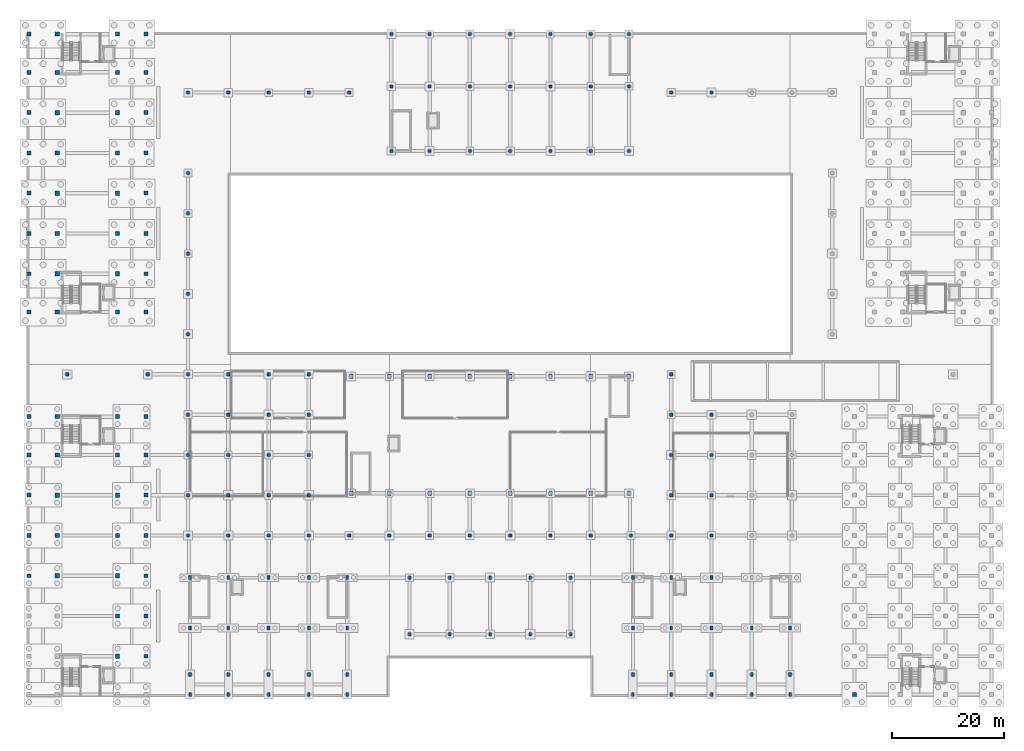
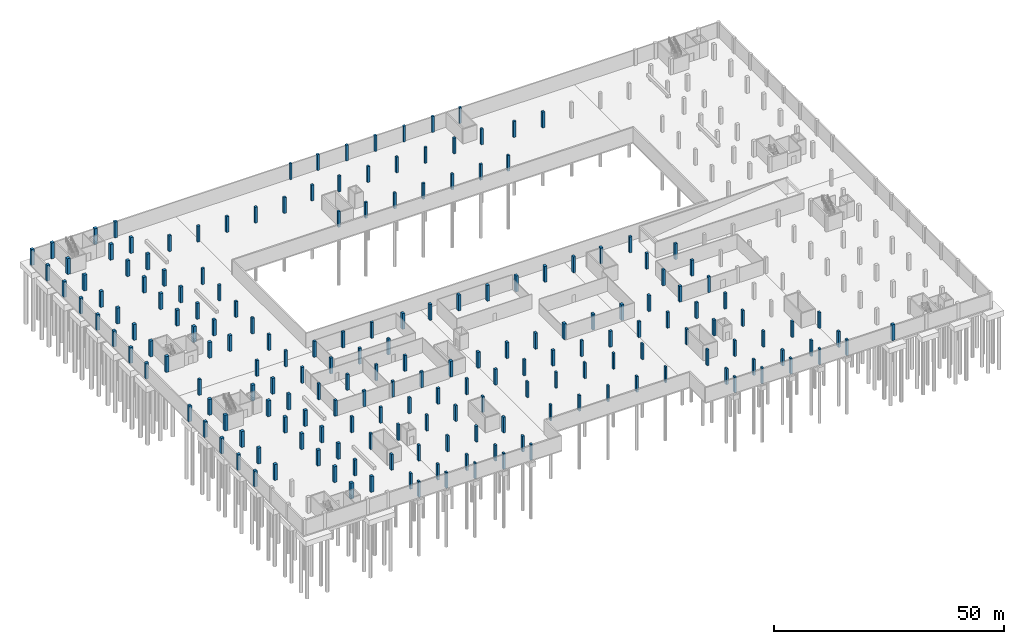
# One storey, part 14 of 36: 193 columns.
"""IFC4 building model written with IfcOpenShell, lengths in metres."""

from ifc_helpers import new_model, si_unit, derived_unit, direction, frame, origin, origin_2d, place, context, subcontext, project, spatial, rectangle, extrude, material, material_profile, profile_set, type_object, element, save


model = new_model("IFC4")

# Units and contexts
model_context = context("Model", 3, precision=1e-05, world=origin(), true_north=direction((0.0, 1.0)))
body_context = subcontext(model_context, "Body", "Model", "MODEL_VIEW")
ifc_project = project(units=[si_unit("LENGTHUNIT", "METRE"), si_unit("AREAUNIT", "SQUARE_METRE"), si_unit("VOLUMEUNIT", "CUBIC_METRE"), si_unit("PLANEANGLEUNIT", "RADIAN"), si_unit("MASSUNIT", "GRAM", prefix="KILO"), derived_unit("THERMALTRANSMITTANCEUNIT", [(si_unit("MASSUNIT", "GRAM", prefix="KILO"), 1), (si_unit("TIMEUNIT", "SECOND"), -3), (si_unit("THERMODYNAMICTEMPERATUREUNIT", "KELVIN"), -1)])], contexts=[model_context])

# Site, building, storey
site_placement = place(None, origin())
site = spatial("IfcSite", under=ifc_project, at=site_placement, CompositionType="ELEMENT")
building_placement = place(site_placement, origin())
building = spatial("IfcBuilding", under=site, at=building_placement, Name="Ochrekiln Boulevard Commons", CompositionType="ELEMENT")
storey_placement = place(building_placement, frame((0.0, 0.0, -4.199951171875)))
storey = spatial("IfcBuildingStorey", under=building, at=storey_placement, Name="B1", CompositionType="ELEMENT", Elevation=-4.199951171875)

# Columns
ifc_material_1 = material(Name="Concrete C35/45", Category="concrete")
ifc_material_profile_1 = material_profile(ifc_material_1, rectangle(XDim=0.5, YDim=0.699951171875, at=origin_2d()), Name="RC-COL-500x700")
ifc_profile_set_1 = profile_set([ifc_material_profile_1], Name="Concrete C35/45")
column_type_1 = type_object("IfcColumnType", Name="COL-RC-500x700", PredefinedType="COLUMN", material=ifc_profile_set_1)
for number, where, z_axis, x_axis, name in (
    (1, (29.14990234375, 3.949951171875, 0.0), (0.0, 0.0, 1.0), (1.0, 0.0, 0.0), "West Boulevard Shops and Arcade B1 Column C-5070 (2)"),
    (2, (29.14990234375, 12.25, 0.0), (0.0, 0.0, 1.0), (1.0, 0.0, 0.0), "West Boulevard Shops and Arcade B1 Column C-5070 (3)"),
    (3, (29.14990234375, 21.25, 0.0), (0.0, 0.0, 1.0), (1.0, 0.0, 0.0), "West Boulevard Shops and Arcade B1 Column C-5070 (4)"),
    (4, (36.0, 3.949951171875, 0.0), (0.0, 0.0, 1.0), (1.0, 0.0, 0.0), "West Boulevard Shops and Arcade B1 Column C-5070 (6)"),
    (5, (36.0, 12.25, 0.0), (0.0, 0.0, 1.0), (1.0, 0.0, 0.0), "West Boulevard Shops and Arcade B1 Column C-5070 (7)"),
    (6, (36.0, 21.25, 0.0), (0.0, 0.0, 1.0), (1.0, 0.0, 0.0), "West Boulevard Shops and Arcade B1 Column C-5070 (8)"),
    (7, (43.199951171875, 3.949951171875, 0.0), (0.0, 0.0, 1.0), (1.0, 0.0, 0.0), "West Boulevard Shops and Arcade B1 Column C-5070 (10)"),
    (8, (43.199951171875, 12.25, 0.0), (0.0, 0.0, 1.0), (1.0, 0.0, 0.0), "West Boulevard Shops and Arcade B1 Column C-5070 (11)"),
    (9, (43.199951171875, 21.25, 0.0), (0.0, 0.0, 1.0), (1.0, 0.0, 0.0), "West Boulevard Shops and Arcade B1 Column C-5070 (12)"),
    (10, (50.39990234375, 3.949951171875, 0.0), (0.0, 0.0, 1.0), (1.0, 0.0, 0.0), "West Boulevard Shops and Arcade B1 Column C-5070 (14)"),
    (11, (50.39990234375, 12.25, 0.0), (0.0, 0.0, 1.0), (1.0, 0.0, 0.0), "West Boulevard Shops and Arcade B1 Column C-5070 (15)"),
    (12, (50.39990234375, 21.25, 0.0), (0.0, 0.0, 1.0), (1.0, 0.0, 0.0), "West Boulevard Shops and Arcade B1 Column C-5070 (16)"),
    (13, (57.25, 3.949951171875, 0.0), (0.0, 0.0, 1.0), (1.0, 0.0, 0.0), "West Boulevard Shops and Arcade B1 Column C-5070 (18)"),
    (14, (57.25, 12.25, 0.0), (0.0, 0.0, 1.0), (1.0, 0.0, 0.0), "West Boulevard Shops and Arcade B1 Column C-5070 (19)"),
    (15, (57.25, 21.25, 0.0), (0.0, 0.0, 1.0), (1.0, 0.0, 0.0), "West Boulevard Shops and Arcade B1 Column C-5070 (20)"),
    (16, (108.35009765625, 3.949951171875, 0.0), (0.0, 0.0, 1.0), (1.0, 0.0, 0.0), "East Boulevard Shops and Arcade B1 Column C-5070 (2)"),
    (17, (108.35009765625, 12.25, 0.0), (0.0, 0.0, 1.0), (1.0, 0.0, 0.0), "East Boulevard Shops and Arcade B1 Column C-5070 (3)"),
    (18, (108.35009765625, 21.25, 0.0), (0.0, 0.0, 1.0), (1.0, 0.0, 0.0), "East Boulevard Shops and Arcade B1 Column C-5070 (4)"),
    (19, (115.199951171875, 3.949951171875, 0.0), (0.0, 0.0, 1.0), (1.0, 0.0, 0.0), "East Boulevard Shops and Arcade B1 Column C-5070 (6)"),
    (20, (115.199951171875, 12.25, 0.0), (0.0, 0.0, 1.0), (1.0, 0.0, 0.0), "East Boulevard Shops and Arcade B1 Column C-5070 (7)"),
    (21, (115.199951171875, 21.25, 0.0), (0.0, 0.0, 1.0), (1.0, 0.0, 0.0), "East Boulevard Shops and Arcade B1 Column C-5070 (8)"),
    (22, (122.39990234375, 3.949951171875, 0.0), (0.0, 0.0, 1.0), (1.0, 0.0, 0.0), "East Boulevard Shops and Arcade B1 Column C-5070 (10)"),
    (23, (122.39990234375, 12.25, 0.0), (0.0, 0.0, 1.0), (1.0, 0.0, 0.0), "East Boulevard Shops and Arcade B1 Column C-5070 (11)"),
    (24, (122.39990234375, 21.25, 0.0), (0.0, 0.0, 1.0), (1.0, 0.0, 0.0), "East Boulevard Shops and Arcade B1 Column C-5070 (12)"),
    (25, (129.60009765625, 3.949951171875, 0.0), (0.0, 0.0, 1.0), (1.0, 0.0, 0.0), "East Boulevard Shops and Arcade B1 Column C-5070 (14)"),
    (26, (129.60009765625, 12.25, 0.0), (0.0, 0.0, 1.0), (1.0, 0.0, 0.0), "East Boulevard Shops and Arcade B1 Column C-5070 (15)"),
    (27, (136.449951171875, 3.949951171875, 0.0), (0.0, 0.0, 1.0), (1.0, 0.0, 0.0), "East Boulevard Shops and Arcade B1 Column C-5070 (18)"),
    (28, (136.449951171875, 12.25, 0.0), (0.0, 0.0, 1.0), (1.0, 0.0, 0.0), "East Boulevard Shops and Arcade B1 Column C-5070 (19)"),
):
    element("IfcColumn", number, at=place(storey_placement, frame(where, z_axis=z_axis, x_axis=x_axis)), inside=storey, type_object=column_type_1, Name=name, PredefinedType="COLUMN", context=body_context, shape_type="SweptSolid", body=[
        extrude(rectangle(XDim=0.5, YDim=0.699951171875, at=origin_2d()), origin(), (0.0, 0.0, 1.0), 4.199951171875),
    ])
ifc_material_profile_2 = material_profile(ifc_material_1, rectangle(XDim=0.550048828125, YDim=0.550048828125, at=origin_2d()), Name="RC-COL-550x550")
ifc_profile_set_2 = profile_set([ifc_material_profile_2], Name="Concrete C35/45")
column_type_2 = type_object("IfcColumnType", Name="COL-RC-550", PredefinedType="COLUMN", material=ifc_profile_set_2)
for number, where, z_axis, x_axis, name in (
    (29, (65.14990234375, 97.550048828125, 0.0), (0.0, 0.0, 1.0), (1.0, 0.0, 0.0), "Nursery Pavilion B1 Column C-550 (1)"),
    (30, (65.14990234375, 109.10009765625, 0.0), (0.0, 0.0, 1.0), (1.0, 0.0, 0.0), "Nursery Pavilion B1 Column C-550 (2)"),
    (31, (65.14990234375, 118.449951171875, 0.0), (0.0, 0.0, 1.0), (1.0, 0.0, 0.0), "Nursery Pavilion B1 Column C-550 (3)"),
    (32, (72.0, 97.550048828125, 0.0), (0.0, 0.0, 1.0), (1.0, 0.0, 0.0), "Nursery Pavilion B1 Column C-550 (4)"),
    (33, (72.0, 109.10009765625, 0.0), (0.0, 0.0, 1.0), (1.0, 0.0, 0.0), "Nursery Pavilion B1 Column C-550 (5)"),
    (34, (72.0, 118.449951171875, 0.0), (0.0, 0.0, 1.0), (1.0, 0.0, 0.0), "Nursery Pavilion B1 Column C-550 (6)"),
    (35, (79.199951171875, 97.550048828125, 0.0), (0.0, 0.0, 1.0), (1.0, 0.0, 0.0), "Nursery Pavilion B1 Column C-550 (7)"),
    (36, (79.199951171875, 109.10009765625, 0.0), (0.0, 0.0, 1.0), (1.0, 0.0, 0.0), "Nursery Pavilion B1 Column C-550 (8)"),
    (37, (79.199951171875, 118.449951171875, 0.0), (0.0, 0.0, 1.0), (1.0, 0.0, 0.0), "Nursery Pavilion B1 Column C-550 (9)"),
    (38, (86.39990234375, 97.550048828125, 0.0), (0.0, 0.0, 1.0), (1.0, 0.0, 0.0), "Nursery Pavilion B1 Column C-550 (10)"),
    (39, (86.39990234375, 109.10009765625, 0.0), (0.0, 0.0, 1.0), (1.0, 0.0, 0.0), "Nursery Pavilion B1 Column C-550 (11)"),
    (40, (86.39990234375, 118.449951171875, 0.0), (0.0, 0.0, 1.0), (1.0, 0.0, 0.0), "Nursery Pavilion B1 Column C-550 (12)"),
    (41, (93.60009765625, 97.550048828125, 0.0), (0.0, 0.0, 1.0), (1.0, 0.0, 0.0), "Nursery Pavilion B1 Column C-550 (13)"),
    (42, (93.60009765625, 109.10009765625, 0.0), (0.0, 0.0, 1.0), (1.0, 0.0, 0.0), "Nursery Pavilion B1 Column C-550 (14)"),
    (43, (93.60009765625, 118.449951171875, 0.0), (0.0, 0.0, 1.0), (1.0, 0.0, 0.0), "Nursery Pavilion B1 Column C-550 (15)"),
    (44, (100.800048828125, 97.550048828125, 0.0), (0.0, 0.0, 1.0), (1.0, 0.0, 0.0), "Nursery Pavilion B1 Column C-550 (16)"),
    (45, (100.800048828125, 109.10009765625, 0.0), (0.0, 0.0, 1.0), (1.0, 0.0, 0.0), "Nursery Pavilion B1 Column C-550 (17)"),
    (46, (100.800048828125, 118.449951171875, 0.0), (0.0, 0.0, 1.0), (1.0, 0.0, 0.0), "Nursery Pavilion B1 Column C-550 (18)"),
    (47, (107.64990234375, 97.550048828125, 0.0), (0.0, 0.0, 1.0), (1.0, 0.0, 0.0), "Nursery Pavilion B1 Column C-550 (19)"),
    (48, (107.64990234375, 109.10009765625, 0.0), (0.0, 0.0, 1.0), (1.0, 0.0, 0.0), "Nursery Pavilion B1 Column C-550 (20)"),
    (49, (107.64990234375, 118.449951171875, 0.0), (0.0, 0.0, 1.0), (1.0, 0.0, 0.0), "Nursery Pavilion B1 Column C-550 (21)"),
):
    element("IfcColumn", number, at=place(storey_placement, frame(where, z_axis=z_axis, x_axis=x_axis)), inside=storey, type_object=column_type_2, Name=name, PredefinedType="COLUMN", context=body_context, shape_type="SweptSolid", body=[
        extrude(rectangle(XDim=0.550048828125, YDim=0.550048828125, at=origin_2d()), origin(), (0.0, 0.0, 1.0), 4.199951171875),
    ])
ifc_material_2 = material(Name="Concrete C40/50", Category="concrete")
ifc_material_profile_3 = material_profile(ifc_material_2, rectangle(XDim=0.60009765625, YDim=0.60009765625, at=origin_2d()), Name="RC-COL-600x600")
ifc_profile_set_3 = profile_set([ifc_material_profile_3], Name="Concrete C40/50")
column_type_3 = type_object("IfcColumnType", Name="COL-RC-600", PredefinedType="COLUMN", material=ifc_profile_set_3)
for number, where, z_axis, x_axis, name in (
    (50, (7.199951171875, 57.60009765625, 0.0), (0.0, 0.0, 1.0), (1.0, 0.0, 0.0), "B1 Courtyard Plaza Column C-600 (1)"),
    (51, (21.60009765625, 57.60009765625, 0.0), (0.0, 0.0, 1.0), (1.0, 0.0, 0.0), "B1 Courtyard Plaza Column C-600 (2)"),
    (52, (28.800048828125, 28.800048828125, 0.0), (0.0, 0.0, 1.0), (1.0, 0.0, 0.0), "B1 Courtyard Plaza Column C-600 (3)"),
    (53, (28.800048828125, 36.0, 0.0), (0.0, 0.0, 1.0), (1.0, 0.0, 0.0), "B1 Courtyard Plaza Column C-600 (4)"),
    (54, (28.800048828125, 43.199951171875, 0.0), (0.0, 0.0, 1.0), (1.0, 0.0, 0.0), "B1 Courtyard Plaza Column C-600 (5)"),
    (55, (28.800048828125, 50.39990234375, 0.0), (0.0, 0.0, 1.0), (1.0, 0.0, 0.0), "B1 Courtyard Plaza Column C-600 (6)"),
    (56, (28.800048828125, 57.60009765625, 0.0), (0.0, 0.0, 1.0), (1.0, 0.0, 0.0), "B1 Courtyard Plaza Column C-600 (7)"),
    (57, (28.800048828125, 64.800048828125, 0.0), (0.0, 0.0, 1.0), (1.0, 0.0, 0.0), "B1 Courtyard Plaza Column C-600 (8)"),
    (58, (28.800048828125, 72.0, 0.0), (0.0, 0.0, 1.0), (1.0, 0.0, 0.0), "B1 Courtyard Plaza Column C-600 (9)"),
    (59, (28.800048828125, 79.199951171875, 0.0), (0.0, 0.0, 1.0), (1.0, 0.0, 0.0), "B1 Courtyard Plaza Column C-600 (10)"),
    (60, (28.800048828125, 86.39990234375, 0.0), (0.0, 0.0, 1.0), (1.0, 0.0, 0.0), "B1 Courtyard Plaza Column C-600 (11)"),
    (61, (28.800048828125, 93.60009765625, 0.0), (0.0, 0.0, 1.0), (1.0, 0.0, 0.0), "B1 Courtyard Plaza Column C-600 (12)"),
    (62, (28.800048828125, 108.0, 0.0), (0.0, 0.0, 1.0), (1.0, 0.0, 0.0), "B1 Courtyard Plaza Column C-600 (13)"),
    (63, (36.0, 28.800048828125, 0.0), (0.0, 0.0, 1.0), (1.0, 0.0, 0.0), "B1 Courtyard Plaza Column C-600 (14)"),
    (64, (36.0, 36.0, 0.0), (0.0, 0.0, 1.0), (1.0, 0.0, 0.0), "B1 Courtyard Plaza Column C-600 (15)"),
    (65, (36.0, 43.199951171875, 0.0), (0.0, 0.0, 1.0), (1.0, 0.0, 0.0), "B1 Courtyard Plaza Column C-600 (16)"),
    (66, (36.0, 50.39990234375, 0.0), (0.0, 0.0, 1.0), (1.0, 0.0, 0.0), "B1 Courtyard Plaza Column C-600 (17)"),
    (67, (36.0, 57.60009765625, 0.0), (0.0, 0.0, 1.0), (1.0, 0.0, 0.0), "B1 Courtyard Plaza Column C-600 (18)"),
    (68, (36.0, 108.0, 0.0), (0.0, 0.0, 1.0), (1.0, 0.0, 0.0), "B1 Courtyard Plaza Column C-600 (19)"),
    (69, (43.199951171875, 28.800048828125, 0.0), (0.0, 0.0, 1.0), (1.0, 0.0, 0.0), "B1 Courtyard Plaza Column C-600 (20)"),
    (70, (43.199951171875, 36.0, 0.0), (0.0, 0.0, 1.0), (1.0, 0.0, 0.0), "B1 Courtyard Plaza Column C-600 (21)"),
    (71, (43.199951171875, 43.199951171875, 0.0), (0.0, 0.0, 1.0), (1.0, 0.0, 0.0), "B1 Courtyard Plaza Column C-600 (22)"),
    (72, (43.199951171875, 50.39990234375, 0.0), (0.0, 0.0, 1.0), (1.0, 0.0, 0.0), "B1 Courtyard Plaza Column C-600 (23)"),
    (73, (43.199951171875, 57.60009765625, 0.0), (0.0, 0.0, 1.0), (1.0, 0.0, 0.0), "B1 Courtyard Plaza Column C-600 (24)"),
    (74, (43.199951171875, 108.0, 0.0), (0.0, 0.0, 1.0), (1.0, 0.0, 0.0), "B1 Courtyard Plaza Column C-600 (25)"),
    (75, (50.39990234375, 28.800048828125, 0.0), (0.0, 0.0, 1.0), (1.0, 0.0, 0.0), "B1 Courtyard Plaza Column C-600 (26)"),
    (76, (50.39990234375, 36.0, 0.0), (0.0, 0.0, 1.0), (1.0, 0.0, 0.0), "B1 Courtyard Plaza Column C-600 (27)"),
    (77, (50.39990234375, 43.199951171875, 0.0), (0.0, 0.0, 1.0), (1.0, 0.0, 0.0), "B1 Courtyard Plaza Column C-600 (28)"),
    (78, (50.39990234375, 50.39990234375, 0.0), (0.0, 0.0, 1.0), (1.0, 0.0, 0.0), "B1 Courtyard Plaza Column C-600 (29)"),
    (79, (50.39990234375, 57.60009765625, 0.0), (0.0, 0.0, 1.0), (1.0, 0.0, 0.0), "B1 Courtyard Plaza Column C-600 (30)"),
    (80, (50.39990234375, 108.0, 0.0), (0.0, 0.0, 1.0), (1.0, 0.0, 0.0), "B1 Courtyard Plaza Column C-600 (31)"),
    (81, (57.60009765625, 28.800048828125, 0.0), (0.0, 0.0, 1.0), (1.0, 0.0, 0.0), "B1 Courtyard Plaza Column C-600 (32)"),
    (82, (57.60009765625, 108.0, 0.0), (0.0, 0.0, 1.0), (1.0, 0.0, 0.0), "B1 Courtyard Plaza Column C-600 (33)"),
    (83, (64.800048828125, 28.800048828125, 0.0), (0.0, 0.0, 1.0), (1.0, 0.0, 0.0), "B1 Courtyard Plaza Column C-600 (34)"),
    (84, (72.0, 28.800048828125, 0.0), (0.0, 0.0, 1.0), (1.0, 0.0, 0.0), "B1 Courtyard Plaza Column C-600 (35)"),
    (85, (79.199951171875, 28.800048828125, 0.0), (0.0, 0.0, 1.0), (1.0, 0.0, 0.0), "B1 Courtyard Plaza Column C-600 (36)"),
    (86, (86.39990234375, 28.800048828125, 0.0), (0.0, 0.0, 1.0), (1.0, 0.0, 0.0), "B1 Courtyard Plaza Column C-600 (37)"),
    (87, (93.60009765625, 28.800048828125, 0.0), (0.0, 0.0, 1.0), (1.0, 0.0, 0.0), "B1 Courtyard Plaza Column C-600 (38)"),
    (88, (100.800048828125, 28.800048828125, 0.0), (0.0, 0.0, 1.0), (1.0, 0.0, 0.0), "B1 Courtyard Plaza Column C-600 (39)"),
    (89, (108.0, 28.800048828125, 0.0), (0.0, 0.0, 1.0), (1.0, 0.0, 0.0), "B1 Courtyard Plaza Column C-600 (40)"),
    (90, (115.199951171875, 28.800048828125, 0.0), (0.0, 0.0, 1.0), (1.0, 0.0, 0.0), "B1 Courtyard Plaza Column C-600 (41)"),
    (91, (115.199951171875, 36.0, 0.0), (0.0, 0.0, 1.0), (1.0, 0.0, 0.0), "B1 Courtyard Plaza Column C-600 (42)"),
    (92, (115.199951171875, 43.199951171875, 0.0), (0.0, 0.0, 1.0), (1.0, 0.0, 0.0), "B1 Courtyard Plaza Column C-600 (43)"),
    (93, (115.199951171875, 50.39990234375, 0.0), (0.0, 0.0, 1.0), (1.0, 0.0, 0.0), "B1 Courtyard Plaza Column C-600 (44)"),
    (94, (115.199951171875, 57.60009765625, 0.0), (0.0, 0.0, 1.0), (1.0, 0.0, 0.0), "B1 Courtyard Plaza Column C-600 (45)"),
    (95, (115.199951171875, 108.0, 0.0), (0.0, 0.0, 1.0), (1.0, 0.0, 0.0), "B1 Courtyard Plaza Column C-600 (46)"),
    (96, (122.39990234375, 28.800048828125, 0.0), (0.0, 0.0, 1.0), (1.0, 0.0, 0.0), "B1 Courtyard Plaza Column C-600 (47)"),
    (97, (122.39990234375, 36.0, 0.0), (0.0, 0.0, 1.0), (1.0, 0.0, 0.0), "B1 Courtyard Plaza Column C-600 (48)"),
    (98, (122.39990234375, 43.199951171875, 0.0), (0.0, 0.0, 1.0), (1.0, 0.0, 0.0), "B1 Courtyard Plaza Column C-600 (49)"),
    (99, (122.39990234375, 50.39990234375, 0.0), (0.0, 0.0, 1.0), (1.0, 0.0, 0.0), "B1 Courtyard Plaza Column C-600 (50)"),
    (100, (122.39990234375, 108.0, 0.0), (0.0, 0.0, 1.0), (1.0, 0.0, 0.0), "B1 Courtyard Plaza Column C-600 (51)"),
):
    element("IfcColumn", number, at=place(storey_placement, frame(where, z_axis=z_axis, x_axis=x_axis)), inside=storey, type_object=column_type_3, Name=name, PredefinedType="COLUMN", context=body_context, shape_type="SweptSolid", body=[
        extrude(rectangle(XDim=0.60009765625, YDim=0.60009765625, at=origin_2d()), origin(), (0.0, 0.0, 1.0), 4.199951171875),
    ])
ifc_material_profile_4 = material_profile(ifc_material_2, rectangle(XDim=0.60009765625, YDim=0.800048828125, at=origin_2d()), Name="RC-COL-600x800")
ifc_profile_set_4 = profile_set([ifc_material_profile_4], Name="Concrete C40/50")
column_type_4 = type_object("IfcColumnType", Name="COL-RC-600x800", PredefinedType="COLUMN", material=ifc_profile_set_4)
for number, where, z_axis, x_axis, name in (
    (101, (57.949951171875, 36.35009765625, 0.0), (0.0, 0.0, 1.0), (1.0, 0.0, 0.0), "Community Hall B1 Column C-6080 (1)"),
    (102, (57.949951171875, 57.25, 0.0), (0.0, 0.0, 1.0), (1.0, 0.0, 0.0), "Community Hall B1 Column C-6080 (2)"),
    (103, (64.800048828125, 36.35009765625, 0.0), (0.0, 0.0, 1.0), (1.0, 0.0, 0.0), "Community Hall B1 Column C-6080 (3)"),
    (104, (64.800048828125, 57.25, 0.0), (0.0, 0.0, 1.0), (1.0, 0.0, 0.0), "Community Hall B1 Column C-6080 (4)"),
    (105, (72.0, 36.35009765625, 0.0), (0.0, 0.0, 1.0), (1.0, 0.0, 0.0), "Community Hall B1 Column C-6080 (5)"),
    (106, (72.0, 57.25, 0.0), (0.0, 0.0, 1.0), (1.0, 0.0, 0.0), "Community Hall B1 Column C-6080 (6)"),
    (107, (79.199951171875, 36.35009765625, 0.0), (0.0, 0.0, 1.0), (1.0, 0.0, 0.0), "Community Hall B1 Column C-6080 (7)"),
    (108, (79.199951171875, 57.25, 0.0), (0.0, 0.0, 1.0), (1.0, 0.0, 0.0), "Community Hall B1 Column C-6080 (8)"),
    (109, (86.39990234375, 36.35009765625, 0.0), (0.0, 0.0, 1.0), (1.0, 0.0, 0.0), "Community Hall B1 Column C-6080 (9)"),
    (110, (86.39990234375, 57.25, 0.0), (0.0, 0.0, 1.0), (1.0, 0.0, 0.0), "Community Hall B1 Column C-6080 (10)"),
    (111, (93.60009765625, 36.35009765625, 0.0), (0.0, 0.0, 1.0), (1.0, 0.0, 0.0), "Community Hall B1 Column C-6080 (11)"),
    (112, (93.60009765625, 57.25, 0.0), (0.0, 0.0, 1.0), (1.0, 0.0, 0.0), "Community Hall B1 Column C-6080 (12)"),
    (113, (100.800048828125, 36.35009765625, 0.0), (0.0, 0.0, 1.0), (1.0, 0.0, 0.0), "Community Hall B1 Column C-6080 (13)"),
    (114, (100.800048828125, 57.25, 0.0), (0.0, 0.0, 1.0), (1.0, 0.0, 0.0), "Community Hall B1 Column C-6080 (14)"),
    (115, (107.64990234375, 36.35009765625, 0.0), (0.0, 0.0, 1.0), (1.0, 0.0, 0.0), "Community Hall B1 Column C-6080 (15)"),
    (116, (107.64990234375, 57.25, 0.0), (0.0, 0.0, 1.0), (1.0, 0.0, 0.0), "Community Hall B1 Column C-6080 (16)"),
):
    element("IfcColumn", number, at=place(storey_placement, frame(where, z_axis=z_axis, x_axis=x_axis)), inside=storey, type_object=column_type_4, Name=name, PredefinedType="COLUMN", context=body_context, shape_type="SweptSolid", body=[
        extrude(rectangle(XDim=0.60009765625, YDim=0.800048828125, at=origin_2d()), origin(), (0.0, 0.0, 1.0), 4.199951171875),
    ])
ifc_material_profile_5 = material_profile(ifc_material_2, rectangle(XDim=0.699951171875, YDim=0.699951171875, at=origin_2d()), Name="RC-COL-700x700")
ifc_profile_set_5 = profile_set([ifc_material_profile_5], Name="Concrete C40/50")
column_type_5 = type_object("IfcColumnType", Name="COL-RC-700", PredefinedType="COLUMN", material=ifc_profile_set_5)
for number, where, z_axis, x_axis, name in (
    (117, (0.35009765625, 68.75, 0.0), (0.0, 0.0, 1.0), (1.0, 0.0, 0.0), "Block A B1 Column C-700 (1)"),
    (118, (0.35009765625, 75.60009765625, 0.0), (0.0, 0.0, 1.0), (1.0, 0.0, 0.0), "Block A B1 Column C-700 (2)"),
    (119, (0.35009765625, 82.800048828125, 0.0), (0.0, 0.0, 1.0), (1.0, 0.0, 0.0), "Block A B1 Column C-700 (3)"),
    (120, (0.35009765625, 90.0, 0.0), (0.0, 0.0, 1.0), (1.0, 0.0, 0.0), "Block A B1 Column C-700 (4)"),
    (121, (0.35009765625, 97.199951171875, 0.0), (0.0, 0.0, 1.0), (1.0, 0.0, 0.0), "Block A B1 Column C-700 (5)"),
    (122, (0.35009765625, 104.39990234375, 0.0), (0.0, 0.0, 1.0), (1.0, 0.0, 0.0), "Block A B1 Column C-700 (6)"),
    (123, (0.35009765625, 111.60009765625, 0.0), (0.0, 0.0, 1.0), (1.0, 0.0, 0.0), "Block A B1 Column C-700 (7)"),
    (124, (0.35009765625, 118.449951171875, 0.0), (0.0, 0.0, 1.0), (1.0, 0.0, 0.0), "Block A B1 Column C-700 (8)"),
    (125, (21.25, 68.75, 0.0), (0.0, 0.0, 1.0), (1.0, 0.0, 0.0), "Block A B1 Column C-700 (25)"),
    (126, (21.25, 75.60009765625, 0.0), (0.0, 0.0, 1.0), (1.0, 0.0, 0.0), "Block A B1 Column C-700 (26)"),
    (127, (21.25, 82.800048828125, 0.0), (0.0, 0.0, 1.0), (1.0, 0.0, 0.0), "Block A B1 Column C-700 (27)"),
    (128, (21.25, 90.0, 0.0), (0.0, 0.0, 1.0), (1.0, 0.0, 0.0), "Block A B1 Column C-700 (28)"),
    (129, (21.25, 97.199951171875, 0.0), (0.0, 0.0, 1.0), (1.0, 0.0, 0.0), "Block A B1 Column C-700 (29)"),
    (130, (21.25, 104.39990234375, 0.0), (0.0, 0.0, 1.0), (1.0, 0.0, 0.0), "Block A B1 Column C-700 (30)"),
    (131, (21.25, 111.60009765625, 0.0), (0.0, 0.0, 1.0), (1.0, 0.0, 0.0), "Block A B1 Column C-700 (31)"),
    (132, (21.25, 118.449951171875, 0.0), (0.0, 0.0, 1.0), (1.0, 0.0, 0.0), "Block A B1 Column C-700 (32)"),
    (133, (147.949951171875, 0.35009765625, 0.0), (0.0, 0.0, 1.0), (1.0, 0.0, 0.0), "Block C B1 Column C-700 (1)"),
    (134, (0.35009765625, 21.60009765625, 0.0), (0.0, 0.0, 1.0), (1.0, 0.0, 0.0), "Block D B1 Column C-700 (4)"),
    (135, (0.35009765625, 28.800048828125, 0.0), (0.0, 0.0, 1.0), (1.0, 0.0, 0.0), "Block D B1 Column C-700 (5)"),
    (136, (0.35009765625, 36.0, 0.0), (0.0, 0.0, 1.0), (1.0, 0.0, 0.0), "Block D B1 Column C-700 (6)"),
    (137, (0.35009765625, 43.199951171875, 0.0), (0.0, 0.0, 1.0), (1.0, 0.0, 0.0), "Block D B1 Column C-700 (7)"),
    (138, (0.35009765625, 50.050048828125, 0.0), (0.0, 0.0, 1.0), (1.0, 0.0, 0.0), "Block D B1 Column C-700 (8)"),
    (139, (21.25, 7.199951171875, 0.0), (0.0, 0.0, 1.0), (1.0, 0.0, 0.0), "Block D B1 Column C-700 (26)"),
    (140, (21.25, 14.39990234375, 0.0), (0.0, 0.0, 1.0), (1.0, 0.0, 0.0), "Block D B1 Column C-700 (27)"),
    (141, (21.25, 21.60009765625, 0.0), (0.0, 0.0, 1.0), (1.0, 0.0, 0.0), "Block D B1 Column C-700 (28)"),
    (142, (21.25, 28.800048828125, 0.0), (0.0, 0.0, 1.0), (1.0, 0.0, 0.0), "Block D B1 Column C-700 (29)"),
    (143, (21.25, 36.0, 0.0), (0.0, 0.0, 1.0), (1.0, 0.0, 0.0), "Block D B1 Column C-700 (30)"),
    (144, (21.25, 43.199951171875, 0.0), (0.0, 0.0, 1.0), (1.0, 0.0, 0.0), "Block D B1 Column C-700 (31)"),
    (145, (21.25, 50.050048828125, 0.0), (0.0, 0.0, 1.0), (1.0, 0.0, 0.0), "Block D B1 Column C-700 (32)"),
):
    element("IfcColumn", number, at=place(storey_placement, frame(where, z_axis=z_axis, x_axis=x_axis)), inside=storey, type_object=column_type_5, Name=name, PredefinedType="COLUMN", context=body_context, shape_type="SweptSolid", body=[
        extrude(rectangle(XDim=0.699951171875, YDim=0.699951171875, at=origin_2d()), origin(), (0.0, 0.0, 1.0), 4.199951171875),
    ])
ifc_material_profile_6 = material_profile(ifc_material_2, rectangle(XDim=0.75, YDim=0.75, at=origin_2d()), Name="RC-COL-750x750")
ifc_profile_set_6 = profile_set([ifc_material_profile_6], Name="Concrete C40/50")
column_type_6 = type_object("IfcColumnType", Name="COL-RC-750", PredefinedType="COLUMN", material=ifc_profile_set_6)
for number, where, z_axis, x_axis, name in (
    (146, (5.39990234375, 68.75, 0.0), (0.0, 0.0, 1.0), (1.0, 0.0, 0.0), "Block A B1 Column C-750 (9)"),
    (147, (5.39990234375, 75.60009765625, 0.0), (0.0, 0.0, 1.0), (1.0, 0.0, 0.0), "Block A B1 Column C-750 (10)"),
    (148, (5.39990234375, 82.800048828125, 0.0), (0.0, 0.0, 1.0), (1.0, 0.0, 0.0), "Block A B1 Column C-750 (11)"),
    (149, (5.39990234375, 90.0, 0.0), (0.0, 0.0, 1.0), (1.0, 0.0, 0.0), "Block A B1 Column C-750 (12)"),
    (150, (5.39990234375, 97.199951171875, 0.0), (0.0, 0.0, 1.0), (1.0, 0.0, 0.0), "Block A B1 Column C-750 (13)"),
    (151, (5.39990234375, 104.39990234375, 0.0), (0.0, 0.0, 1.0), (1.0, 0.0, 0.0), "Block A B1 Column C-750 (14)"),
    (152, (5.39990234375, 111.60009765625, 0.0), (0.0, 0.0, 1.0), (1.0, 0.0, 0.0), "Block A B1 Column C-750 (15)"),
    (153, (5.39990234375, 118.449951171875, 0.0), (0.0, 0.0, 1.0), (1.0, 0.0, 0.0), "Block A B1 Column C-750 (16)"),
    (154, (16.199951171875, 68.75, 0.0), (0.0, 0.0, 1.0), (1.0, 0.0, 0.0), "Block A B1 Column C-750 (17)"),
    (155, (16.199951171875, 75.60009765625, 0.0), (0.0, 0.0, 1.0), (1.0, 0.0, 0.0), "Block A B1 Column C-750 (18)"),
    (156, (16.199951171875, 82.800048828125, 0.0), (0.0, 0.0, 1.0), (1.0, 0.0, 0.0), "Block A B1 Column C-750 (19)"),
    (157, (16.199951171875, 90.0, 0.0), (0.0, 0.0, 1.0), (1.0, 0.0, 0.0), "Block A B1 Column C-750 (20)"),
    (158, (16.199951171875, 97.199951171875, 0.0), (0.0, 0.0, 1.0), (1.0, 0.0, 0.0), "Block A B1 Column C-750 (21)"),
    (159, (16.199951171875, 104.39990234375, 0.0), (0.0, 0.0, 1.0), (1.0, 0.0, 0.0), "Block A B1 Column C-750 (22)"),
    (160, (16.199951171875, 111.60009765625, 0.0), (0.0, 0.0, 1.0), (1.0, 0.0, 0.0), "Block A B1 Column C-750 (23)"),
    (161, (16.199951171875, 118.449951171875, 0.0), (0.0, 0.0, 1.0), (1.0, 0.0, 0.0), "Block A B1 Column C-750 (24)"),
    (162, (5.39990234375, 21.60009765625, 0.0), (0.0, 0.0, 1.0), (1.0, 0.0, 0.0), "Block D B1 Column C-750 (12)"),
    (163, (5.39990234375, 28.800048828125, 0.0), (0.0, 0.0, 1.0), (1.0, 0.0, 0.0), "Block D B1 Column C-750 (13)"),
    (164, (5.39990234375, 36.0, 0.0), (0.0, 0.0, 1.0), (1.0, 0.0, 0.0), "Block D B1 Column C-750 (14)"),
    (165, (5.39990234375, 43.199951171875, 0.0), (0.0, 0.0, 1.0), (1.0, 0.0, 0.0), "Block D B1 Column C-750 (15)"),
    (166, (5.39990234375, 50.050048828125, 0.0), (0.0, 0.0, 1.0), (1.0, 0.0, 0.0), "Block D B1 Column C-750 (16)"),
    (167, (16.199951171875, 7.199951171875, 0.0), (0.0, 0.0, 1.0), (1.0, 0.0, 0.0), "Block D B1 Column C-750 (18)"),
    (168, (16.199951171875, 14.39990234375, 0.0), (0.0, 0.0, 1.0), (1.0, 0.0, 0.0), "Block D B1 Column C-750 (19)"),
    (169, (16.199951171875, 21.60009765625, 0.0), (0.0, 0.0, 1.0), (1.0, 0.0, 0.0), "Block D B1 Column C-750 (20)"),
    (170, (16.199951171875, 28.800048828125, 0.0), (0.0, 0.0, 1.0), (1.0, 0.0, 0.0), "Block D B1 Column C-750 (21)"),
    (171, (16.199951171875, 36.0, 0.0), (0.0, 0.0, 1.0), (1.0, 0.0, 0.0), "Block D B1 Column C-750 (22)"),
    (172, (16.199951171875, 43.199951171875, 0.0), (0.0, 0.0, 1.0), (1.0, 0.0, 0.0), "Block D B1 Column C-750 (23)"),
    (173, (16.199951171875, 50.050048828125, 0.0), (0.0, 0.0, 1.0), (1.0, 0.0, 0.0), "Block D B1 Column C-750 (24)"),
):
    element("IfcColumn", number, at=place(storey_placement, frame(where, z_axis=z_axis, x_axis=x_axis)), inside=storey, type_object=column_type_6, Name=name, PredefinedType="COLUMN", context=body_context, shape_type="SweptSolid", body=[
        extrude(rectangle(XDim=0.75, YDim=0.75, at=origin_2d()), origin(), (0.0, 0.0, 1.0), 4.199951171875),
    ])
ifc_material_profile_7 = material_profile(ifc_material_2, rectangle(XDim=0.449951171875, YDim=0.64990234375, at=origin_2d()), Name="RC-PIL-450x650")
ifc_profile_set_7 = profile_set([ifc_material_profile_7], Name="Concrete C40/50")
column_type_7 = type_object("IfcColumnType", Name="PIL-RC-450x650", PredefinedType="PILASTER", material=ifc_profile_set_7)
for number, where, z_axis, x_axis, name in (
    (174, (29.14990234375, 0.35009765625, 0.0), (0.0, 0.0, 1.0), (1.0, 0.0, 0.0), "West Boulevard Shops and Arcade B1 Column PL-4565 (1)"),
    (175, (36.0, 0.35009765625, 0.0), (0.0, 0.0, 1.0), (1.0, 0.0, 0.0), "West Boulevard Shops and Arcade B1 Column PL-4565 (5)"),
    (176, (43.199951171875, 0.35009765625, 0.0), (0.0, 0.0, 1.0), (1.0, 0.0, 0.0), "West Boulevard Shops and Arcade B1 Column PL-4565 (9)"),
    (177, (50.39990234375, 0.35009765625, 0.0), (0.0, 0.0, 1.0), (1.0, 0.0, 0.0), "West Boulevard Shops and Arcade B1 Column PL-4565 (13)"),
    (178, (57.25, 0.35009765625, 0.0), (0.0, 0.0, 1.0), (1.0, 0.0, 0.0), "West Boulevard Shops and Arcade B1 Column PL-4565 (17)"),
    (179, (108.35009765625, 0.35009765625, 0.0), (0.0, 0.0, 1.0), (1.0, 0.0, 0.0), "East Boulevard Shops and Arcade B1 Column PL-4565 (1)"),
    (180, (115.199951171875, 0.35009765625, 0.0), (0.0, 0.0, 1.0), (1.0, 0.0, 0.0), "East Boulevard Shops and Arcade B1 Column PL-4565 (5)"),
    (181, (122.39990234375, 0.35009765625, 0.0), (0.0, 0.0, 1.0), (1.0, 0.0, 0.0), "East Boulevard Shops and Arcade B1 Column PL-4565 (9)"),
    (182, (129.60009765625, 0.35009765625, 0.0), (0.0, 0.0, 1.0), (1.0, 0.0, 0.0), "East Boulevard Shops and Arcade B1 Column PL-4565 (13)"),
    (183, (136.449951171875, 0.35009765625, 0.0), (0.0, 0.0, 1.0), (1.0, 0.0, 0.0), "East Boulevard Shops and Arcade B1 Column PL-4565 (17)"),
    (184, (68.39990234375, 11.14990234375, 0.0), (0.0, 0.0, 1.0), (1.0, 0.0, 0.0), "Forecourt Canopy B1 Column PL-4565 (1)"),
    (185, (68.39990234375, 21.25, 0.0), (0.0, 0.0, 1.0), (1.0, 0.0, 0.0), "Forecourt Canopy B1 Column PL-4565 (2)"),
    (186, (75.60009765625, 11.14990234375, 0.0), (0.0, 0.0, 1.0), (1.0, 0.0, 0.0), "Forecourt Canopy B1 Column PL-4565 (3)"),
    (187, (75.60009765625, 21.25, 0.0), (0.0, 0.0, 1.0), (1.0, 0.0, 0.0), "Forecourt Canopy B1 Column PL-4565 (4)"),
    (188, (82.800048828125, 11.14990234375, 0.0), (0.0, 0.0, 1.0), (1.0, 0.0, 0.0), "Forecourt Canopy B1 Column PL-4565 (5)"),
    (189, (82.800048828125, 21.25, 0.0), (0.0, 0.0, 1.0), (1.0, 0.0, 0.0), "Forecourt Canopy B1 Column PL-4565 (6)"),
    (190, (90.0, 11.14990234375, 0.0), (0.0, 0.0, 1.0), (1.0, 0.0, 0.0), "Forecourt Canopy B1 Column PL-4565 (7)"),
    (191, (90.0, 21.25, 0.0), (0.0, 0.0, 1.0), (1.0, 0.0, 0.0), "Forecourt Canopy B1 Column PL-4565 (8)"),
    (192, (97.199951171875, 11.14990234375, 0.0), (0.0, 0.0, 1.0), (1.0, 0.0, 0.0), "Forecourt Canopy B1 Column PL-4565 (9)"),
    (193, (97.199951171875, 21.25, 0.0), (0.0, 0.0, 1.0), (1.0, 0.0, 0.0), "Forecourt Canopy B1 Column PL-4565 (10)"),
):
    element("IfcColumn", number, at=place(storey_placement, frame(where, z_axis=z_axis, x_axis=x_axis)), inside=storey, type_object=column_type_7, Name=name, PredefinedType="PILASTER", context=body_context, shape_type="SweptSolid", body=[
        extrude(rectangle(XDim=0.449951171875, YDim=0.64990234375, at=origin_2d()), origin(), (0.0, 0.0, 1.0), 4.199951171875),
    ])

save(model, "model.ifc")
